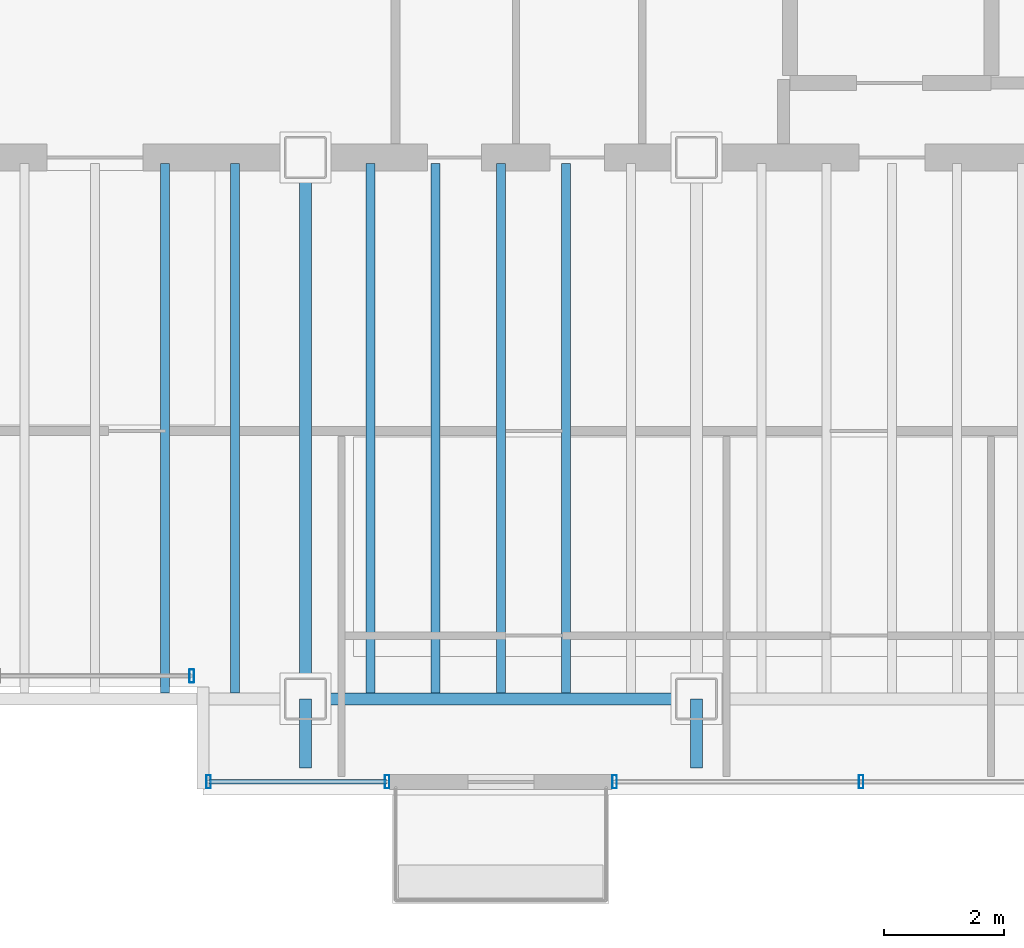
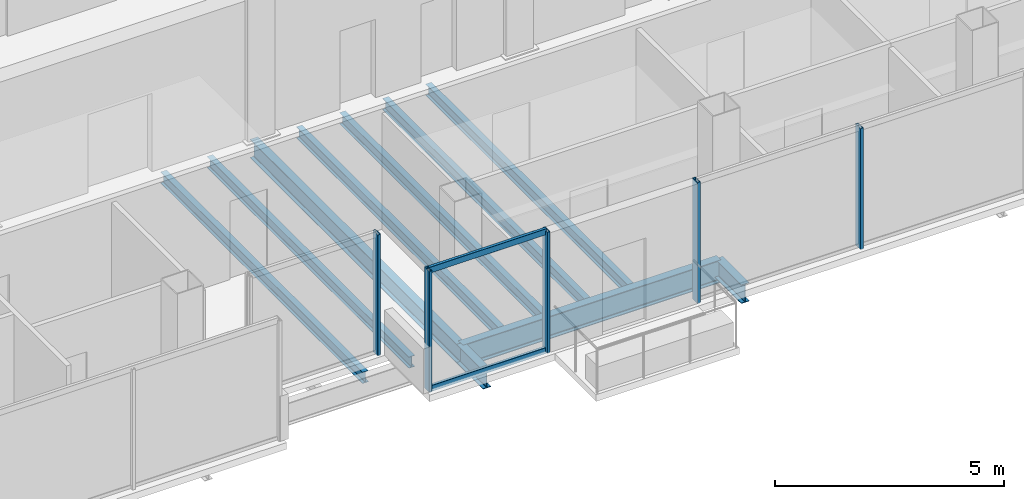
# One storey, part 6 of 17: 10 beams, 7 members, 3 elements without a shape of their own.
"""IFC4 building model written with IfcOpenShell, lengths in metres."""

from ifc_helpers import new_model, si_unit, direction, frame, origin, origin_2d, place, context, subcontext, project, spatial, hollow_rectangle, i_section, extrude, material, material_profile, profile_set, type_object, element, aggregate, save


model = new_model("IFC4")

# Units and contexts
model_context = context("Model", 3, precision=1e-05, world=origin(), true_north=direction((0.0, 1.0)))
body_context = subcontext(model_context, "Body", "Model", "MODEL_VIEW")
ifc_project = project(units=[si_unit("LENGTHUNIT", "METRE"), si_unit("AREAUNIT", "SQUARE_METRE"), si_unit("VOLUMEUNIT", "CUBIC_METRE"), si_unit("PLANEANGLEUNIT", "RADIAN"), si_unit("MASSUNIT", "GRAM", prefix="KILO")], contexts=[model_context])

# Site, building, storey
site_placement = place(None, origin())
site = spatial("IfcSite", under=ifc_project, at=site_placement, CompositionType="ELEMENT")
building_placement = place(site_placement, origin())
building = spatial("IfcBuilding", under=site, at=building_placement, Name="Noeulbin Bourse Tower", CompositionType="ELEMENT")
storey_placement = place(building_placement, frame((0.0, 0.0, 289.10009765625)))
storey = spatial("IfcBuildingStorey", under=building, at=storey_placement, Name="L72", CompositionType="ELEMENT", Elevation=289.10009765625)

# Beams
ifc_material_1 = material(Name="Steel S355", Category="steel")
ifc_material_profile_1 = material_profile(ifc_material_1, i_section(OverallWidth=0.199951171875, OverallDepth=0.5, WebThickness=0.010009765625, FlangeThickness=0.01611328125, FilletRadius=0.02001953125, at=origin_2d()), Name="H-500x200x10x16", Category="LoadBearing")
ifc_profile_set_1 = profile_set([ifc_material_profile_1], Name="Steel S355")
beam_type_1 = type_object("IfcBeamType", Name="BM-GRD-500", PredefinedType="USERDEFINED", material=ifc_profile_set_1)
beam_1_placement = place(storey_placement, frame((31.0, 18.85009765625, -0.43017578125), z_axis=(0.0, 1.0, 0.0), x_axis=(-1.0, 0.0, 0.0)))
element("IfcBeam", 1, at=beam_1_placement, inside=storey, type_object=beam_type_1, Name="Tower Primary Girder NS L72-3.1", ObjectType="GIRDER", PredefinedType="USERDEFINED", context=body_context, shape_type="SweptSolid", body=[
    extrude(i_section(OverallWidth=0.199951171875, OverallDepth=0.5, WebThickness=0.010009765625, FlangeThickness=0.01611328125, FilletRadius=0.02001953125, at=origin_2d()), origin(), (0.0, 0.0, 1.0), 1.14990234375),
])
beam_2_placement = place(storey_placement, frame((31.0, 20.0, -0.43017578125), z_axis=(0.0, 1.0, 0.0), x_axis=(-1.0, 0.0, 0.0)))
element("IfcBeam", 2, at=beam_2_placement, inside=storey, type_object=beam_type_1, Name="Tower Primary Girder NS L72-3.2", ObjectType="GIRDER", PredefinedType="USERDEFINED", context=body_context, shape_type="SweptSolid", body=[
    extrude(i_section(OverallWidth=0.199951171875, OverallDepth=0.5, WebThickness=0.010009765625, FlangeThickness=0.01611328125, FilletRadius=0.02001953125, at=origin_2d()), origin(), (0.0, 0.0, 1.0), 9.0),
])
beam_3_placement = place(storey_placement, frame((37.5, 18.85009765625, -0.43017578125), z_axis=(0.0, 1.0, 0.0), x_axis=(-1.0, 0.0, 0.0)))
element("IfcBeam", 3, at=beam_3_placement, inside=storey, type_object=beam_type_1, Name="Tower Primary Girder NS L72-4.1", ObjectType="GIRDER", PredefinedType="USERDEFINED", context=body_context, shape_type="SweptSolid", body=[
    extrude(i_section(OverallWidth=0.199951171875, OverallDepth=0.5, WebThickness=0.010009765625, FlangeThickness=0.01611328125, FilletRadius=0.02001953125, at=origin_2d()), origin(), (0.0, 0.0, 1.0), 1.14990234375),
])
ifc_material_profile_2 = material_profile(ifc_material_1, i_section(OverallWidth=0.199951171875, OverallDepth=0.60009765625, WebThickness=0.010986328125, FlangeThickness=0.01708984375, FilletRadius=0.02197265625, at=origin_2d()), Name="H-600x200x11x17", Category="LoadBearing")
ifc_profile_set_2 = profile_set([ifc_material_profile_2], Name="Steel S355")
beam_type_2 = type_object("IfcBeamType", Name="BM-GRD-600", PredefinedType="USERDEFINED", material=ifc_profile_set_2)
beam_4_placement = place(storey_placement, frame((31.0, 20.0, -0.47998046875), z_axis=(1.0, 0.0, 0.0), x_axis=(0.0, 1.0, 0.0)))
element("IfcBeam", 4, at=beam_4_placement, inside=storey, type_object=beam_type_2, Name="Tower Primary Girder EW L72-1.2", ObjectType="GIRDER", PredefinedType="USERDEFINED", context=body_context, shape_type="SweptSolid", body=[
    extrude(i_section(OverallWidth=0.199951171875, OverallDepth=0.60009765625, WebThickness=0.010986328125, FlangeThickness=0.01708984375, FilletRadius=0.02197265625, at=origin_2d()), origin(), (0.0, 0.0, 1.0), 6.5),
])
ifc_material_profile_3 = material_profile(ifc_material_1, i_section(OverallWidth=0.14990234375, OverallDepth=0.300048828125, WebThickness=0.006591796875, FlangeThickness=0.009033203125, FilletRadius=0.012939453125, at=origin_2d()), Name="H-300x150x6.5x9", Category="LoadBearing")
ifc_profile_set_3 = profile_set([ifc_material_profile_3], Name="Steel S355")
beam_type_3 = type_object("IfcBeamType", Name="BM-JST-300", PredefinedType="JOIST", material=ifc_profile_set_3)
for number, where, z_axis, x_axis, name in (
    (5, (28.666748046875, 20.10009765625, -0.330078125), (0.0, 1.0, 0.0), (-1.0, 0.0, 0.0), "Tower Composite Joist L72-07"),
    (6, (29.833251953125, 20.10009765625, -0.330078125), (0.0, 1.0, 0.0), (-1.0, 0.0, 0.0), "Tower Composite Joist L72-09"),
    (7, (32.083251953125, 20.10009765625, -0.330078125), (0.0, 1.0, 0.0), (-1.0, 0.0, 0.0), "Tower Composite Joist L72-11"),
    (8, (33.166748046875, 20.10009765625, -0.330078125), (0.0, 1.0, 0.0), (-1.0, 0.0, 0.0), "Tower Composite Joist L72-13"),
    (9, (34.25, 20.10009765625, -0.330078125), (0.0, 1.0, 0.0), (-1.0, 0.0, 0.0), "Tower Composite Joist L72-15"),
    (10, (35.333251953125, 20.10009765625, -0.330078125), (0.0, 1.0, 0.0), (-1.0, 0.0, 0.0), "Tower Composite Joist L72-17"),
):
    element("IfcBeam", number, at=place(storey_placement, frame(where, z_axis=z_axis, x_axis=x_axis)), inside=storey, type_object=beam_type_3, Name=name, PredefinedType="JOIST", context=body_context, shape_type="SweptSolid", body=[
        extrude(i_section(OverallWidth=0.14990234375, OverallDepth=0.300048828125, WebThickness=0.006591796875, FlangeThickness=0.009033203125, FilletRadius=0.012939453125, at=origin_2d()), origin(), (0.0, 0.0, 1.0), 8.7998046875),
    ])

# Curtain wall, member
ifc_material_2 = material(Name="High-Selectivity Low-Iron Glazing", Category="glass")
curtain_wall_type = type_object("IfcCurtainWallType", Name="CW-SYS-4", PredefinedType="NOTDEFINED", material=ifc_material_2)
curtain_wall_1_placement = place(storey_placement, origin())
curtain_wall_1 = element("IfcCurtainWall", 11, at=curtain_wall_1_placement, inside=storey, type_object=curtain_wall_type, Name="Unitised Curtain Wall CW-L72-SREC", PredefinedType="NOTDEFINED")
ifc_material_3 = material(Name="Anodised Aluminium 6063-T6", Category="aluminium")
ifc_material_profile_4 = material_profile(ifc_material_3, hollow_rectangle(XDim=0.074951171875, YDim=0.219970703125, WallThickness=0.0048828125, InnerFilletRadius=0.00244140625, OuterFilletRadius=0.0048828125, at=origin_2d()), Name="ALU-MULL-75x220x5", Category="LoadBearing")
ifc_profile_set_4 = profile_set([ifc_material_profile_4], Name="Anodised Aluminium 6063-T6")
member_type_1 = type_object("IfcMemberType", Name="CW-SYS-4-MUL", PredefinedType="MULLION", material=ifc_profile_set_4)
member_1_placement = place(storey_placement, frame((29.110107421875, 20.3798828125, -0.02001953125), z_axis=(0.0, 0.0, 1.0), x_axis=(1.0, 0.0, 0.0)))
member_1 = element("IfcMember", 12, at=member_1_placement, type_object=member_type_1, Name="Curtain Wall Mullion CW-L72-SREC-M01", PredefinedType="MULLION", context=body_context, shape_type="SweptSolid", body=[
    extrude(hollow_rectangle(XDim=0.074951171875, YDim=0.219970703125, WallThickness=0.0048828125, InnerFilletRadius=0.00244140625, OuterFilletRadius=0.0048828125, at=origin_2d()), origin(), (0.0, 0.0, 1.0), 3.219970703125),
])
aggregate(curtain_wall_1, [member_1])

# Curtain wall, members
curtain_wall_2_placement = place(storey_placement, origin())
curtain_wall_2 = element("IfcCurtainWall", 13, at=curtain_wall_2_placement, inside=storey, type_object=curtain_wall_type, Name="Unitised Curtain Wall CW-L72-S2", PredefinedType="NOTDEFINED")
member_2_placement = place(storey_placement, frame((29.389892578125, 18.6201171875, -0.02001953125), z_axis=(0.0, 0.0, 1.0), x_axis=(1.0, 0.0, 0.0)))
member_2 = element("IfcMember", 14, at=member_2_placement, type_object=member_type_1, Name="Curtain Wall Mullion CW-L72-S2-M00", PredefinedType="MULLION", context=body_context, shape_type="SweptSolid", body=[
    extrude(hollow_rectangle(XDim=0.074951171875, YDim=0.219970703125, WallThickness=0.0048828125, InnerFilletRadius=0.00244140625, OuterFilletRadius=0.0048828125, at=origin_2d()), origin(), (0.0, 0.0, 1.0), 3.219970703125),
])
member_3_placement = place(storey_placement, frame((32.360107421875, 18.6201171875, -0.02001953125), z_axis=(0.0, 0.0, 1.0), x_axis=(1.0, 0.0, 0.0)))
member_3 = element("IfcMember", 15, at=member_3_placement, type_object=member_type_1, Name="Curtain Wall Mullion CW-L72-S2-M01", PredefinedType="MULLION", context=body_context, shape_type="SweptSolid", body=[
    extrude(hollow_rectangle(XDim=0.074951171875, YDim=0.219970703125, WallThickness=0.0048828125, InnerFilletRadius=0.00244140625, OuterFilletRadius=0.0048828125, at=origin_2d()), origin(), (0.0, 0.0, 1.0), 3.219970703125),
])

curtain_wall_3_placement = place(storey_placement, origin())
curtain_wall_3 = element("IfcCurtainWall", 16, at=curtain_wall_3_placement, inside=storey, type_object=curtain_wall_type, Name="Unitised Curtain Wall CW-L72-S3", PredefinedType="NOTDEFINED")
member_4_placement = place(storey_placement, frame((36.139892578125, 18.6201171875, -0.02001953125), z_axis=(0.0, 0.0, 1.0), x_axis=(1.0, 0.0, 0.0)))
member_4 = element("IfcMember", 17, at=member_4_placement, type_object=member_type_1, Name="Curtain Wall Mullion CW-L72-S3-M00", PredefinedType="MULLION", context=body_context, shape_type="SweptSolid", body=[
    extrude(hollow_rectangle(XDim=0.074951171875, YDim=0.219970703125, WallThickness=0.0048828125, InnerFilletRadius=0.00244140625, OuterFilletRadius=0.0048828125, at=origin_2d()), origin(), (0.0, 0.0, 1.0), 3.219970703125),
])
member_5_placement = place(storey_placement, frame((40.239990234375, 18.6201171875, -0.02001953125), z_axis=(0.0, 0.0, 1.0), x_axis=(1.0, 0.0, 0.0)))
member_5 = element("IfcMember", 18, at=member_5_placement, type_object=member_type_1, Name="Curtain Wall Mullion CW-L72-S3-M01", PredefinedType="MULLION", context=body_context, shape_type="SweptSolid", body=[
    extrude(hollow_rectangle(XDim=0.074951171875, YDim=0.219970703125, WallThickness=0.0048828125, InnerFilletRadius=0.00244140625, OuterFilletRadius=0.0048828125, at=origin_2d()), origin(), (0.0, 0.0, 1.0), 3.219970703125),
])
aggregate(curtain_wall_3, [member_4, member_5])

# Member
ifc_material_profile_5 = material_profile(ifc_material_3, hollow_rectangle(XDim=0.074951171875, YDim=0.159912109375, WallThickness=0.0048828125, InnerFilletRadius=0.00244140625, OuterFilletRadius=0.0048828125, at=origin_2d()), Name="ALU-TRAN-75x160x5", Category="LoadBearing")
ifc_profile_set_5 = profile_set([ifc_material_profile_5], Name="Anodised Aluminium 6063-T6")
member_type_2 = type_object("IfcMemberType", Name="CW-SYS-4-TRN", PredefinedType="USERDEFINED", material=ifc_profile_set_5)
member_6_placement = place(storey_placement, frame((29.39990234375, 18.6201171875, 0.010009765625), z_axis=(1.0, 0.0, 0.0), x_axis=(0.0, 1.0, 0.0)))
member_6 = element("IfcMember", 19, at=member_6_placement, type_object=member_type_2, Name="Curtain Wall Transom CW-L72-S2-T00", ObjectType="TRANSOM", PredefinedType="USERDEFINED", context=body_context, shape_type="SweptSolid", body=[
    extrude(hollow_rectangle(XDim=0.074951171875, YDim=0.159912109375, WallThickness=0.0048828125, InnerFilletRadius=0.00244140625, OuterFilletRadius=0.0048828125, at=origin_2d()), origin(), (0.0, 0.0, 1.0), 2.9501953125),
])

member_7_placement = place(storey_placement, frame((29.39990234375, 18.6201171875, 3.169921875), z_axis=(1.0, 0.0, 0.0), x_axis=(0.0, 1.0, 0.0)))
member_7 = element("IfcMember", 20, at=member_7_placement, type_object=member_type_2, Name="Curtain Wall Transom CW-L72-S2-T01", ObjectType="TRANSOM", PredefinedType="USERDEFINED", context=body_context, shape_type="SweptSolid", body=[
    extrude(hollow_rectangle(XDim=0.074951171875, YDim=0.159912109375, WallThickness=0.0048828125, InnerFilletRadius=0.00244140625, OuterFilletRadius=0.0048828125, at=origin_2d()), origin(), (0.0, 0.0, 1.0), 2.9501953125),
])

aggregate(curtain_wall_2, [member_2, member_3, member_6, member_7])

save(model, "model.ifc")
